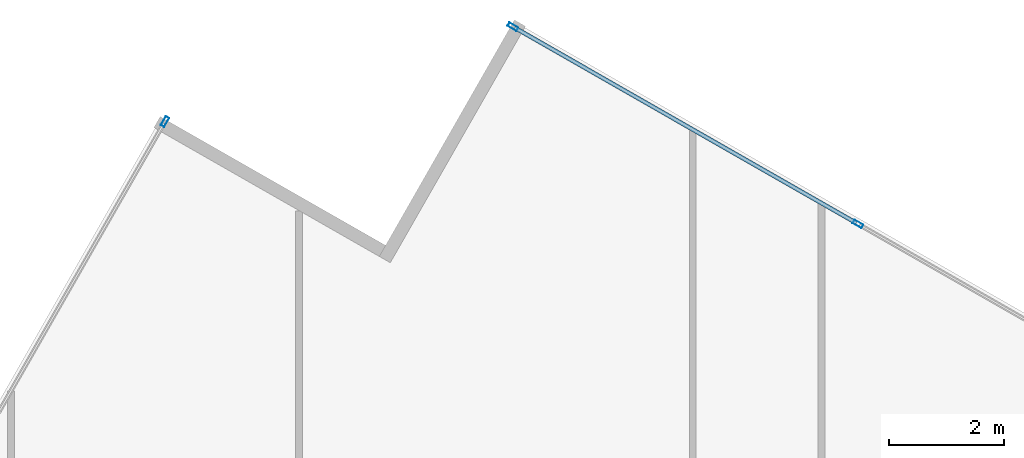
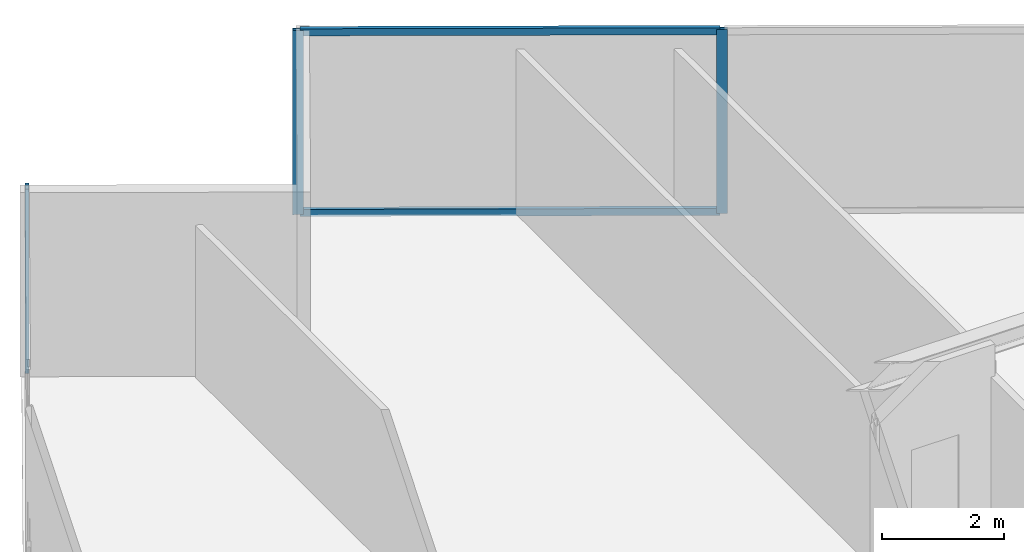
# One storey, part 15 of 24: 5 members, 2 elements without a shape of their own.
"""IFC4 building model written with IfcOpenShell, lengths in metres."""

import ifcopenshell
import ifcopenshell.guid

model = None  # the IFC model being written
_history = None  # IfcOwnerHistory: only IFC2X3 demands one
_inside = {}  # id of a spatial element -> (the spatial element, [elements in it])
_under = {}  # id of a project, library or spatial element -> (it, [spatial elements below it])
_declared = {}  # id of a project -> (the project, [libraries it declares])
_typed = {}  # id of a type object -> (the type object, [elements of that type])
_made_of = {}  # id of a material, layer set ... -> (it, [elements and type objects made of it])


def new_model(schema):
    """Start an empty IFC model of exactly this schema.

    Asked for "IFC4X3", IfcOpenShell would pick the latest addendum, in which some entities
    have other attributes; the version numbers below select the first issue.
    IFC2X3 requires an IfcOwnerHistory on every rooted entity: one is made here for all.
    """
    global model, _history
    if schema == "IFC4X3":
        model = ifcopenshell.file(schema_version=(4, 3, 0, 0))
    else:
        model = ifcopenshell.file(schema=schema)
    _inside.clear()
    _under.clear()
    _declared.clear()
    _typed.clear()
    _made_of.clear()
    _history = None
    if model.schema == "IFC2X3":
        org = make("IfcOrganization", Name="unknown")
        user = make(
            "IfcPersonAndOrganization",
            ThePerson=make("IfcPerson", FamilyName="unknown"),
            TheOrganization=org,
        )
        app = make(
            "IfcApplication",
            ApplicationDeveloper=org,
            Version="unknown",
            ApplicationFullName="unknown",
            ApplicationIdentifier="unknown",
        )
        _history = make(
            "IfcOwnerHistory",
            OwningUser=user,
            OwningApplication=app,
            ChangeAction="ADDED",
            CreationDate=0,
        )
    return model


def make(cls, **values):
    """One entity of the class cls with the attributes given. An attribute that is None is left unset."""
    return model.create_entity(
        cls, **{name: value for name, value in values.items() if value is not None}
    )


def rooted(cls, **values):
    """An entity with a GlobalId (a new one), such as an element, a storey or a relation."""
    return make(cls, GlobalId=ifcopenshell.guid.new(), OwnerHistory=_history, **values)


def si_unit(unit_type, name, prefix=None):
    """IfcSIUnit, for example si_unit("LENGTHUNIT", "METRE", prefix="MILLI")."""
    return make("IfcSIUnit", UnitType=unit_type, Prefix=prefix, Name=name)


def assignment(units):
    """IfcUnitAssignment: the units of a project."""
    return None if units is None else make("IfcUnitAssignment", Units=units)


def point(xyz):
    """IfcCartesianPoint."""
    return None if xyz is None else make("IfcCartesianPoint", Coordinates=xyz)


def direction(xyz):
    """IfcDirection."""
    return None if xyz is None else make("IfcDirection", DirectionRatios=xyz)


def frame(location, z_axis=None, x_axis=None):
    """IfcAxis2Placement3D, a coordinate frame: its origin and axes. An axis left out is left unset."""
    return make(
        "IfcAxis2Placement3D",
        Location=point(location),
        Axis=direction(z_axis),
        RefDirection=direction(x_axis),
    )


def frame_2d(location, x_axis=None):
    """IfcAxis2Placement2D, a coordinate frame in the plane: its origin and x axis."""
    return make(
        "IfcAxis2Placement2D", Location=point(location), RefDirection=direction(x_axis)
    )


def origin():
    """The frame at (0, 0, 0) with its axes left unset."""
    return frame((0.0, 0.0, 0.0))


def origin_2d():
    """The frame at (0, 0) in the plane with its x axis left unset."""
    return frame_2d((0.0, 0.0))


def place(relative_to, where):
    """IfcLocalPlacement: puts the frame where relative to a parent placement (None: the world)."""
    return make(
        "IfcLocalPlacement", PlacementRelTo=relative_to, RelativePlacement=where
    )


def context(
    kind, dimensions, precision=None, world=None, true_north=None, identifier=None
):
    """IfcGeometricRepresentationContext, for example the 3D "Model" context."""
    return make(
        "IfcGeometricRepresentationContext",
        ContextIdentifier=identifier,
        ContextType=kind,
        CoordinateSpaceDimension=dimensions,
        Precision=precision,
        WorldCoordinateSystem=world,
        TrueNorth=true_north,
    )


def subcontext(parent, identifier, kind, view, scale=None):
    """IfcGeometricRepresentationSubContext, for example "Body" below "Model"."""
    return make(
        "IfcGeometricRepresentationSubContext",
        ContextIdentifier=identifier,
        ContextType=kind,
        ParentContext=parent,
        TargetScale=scale,
        TargetView=view,
    )


def project(units=None, contexts=None):
    """IfcProject with its units and contexts."""
    return rooted(
        "IfcProject",
        Name="project",
        RepresentationContexts=contexts,
        UnitsInContext=assignment(units),
    )


def spatial(cls, under=None, at=None, **own):
    """A site, building, storey or space (cls), placed at a placement, below another one or the project."""
    s = rooted(cls, ObjectPlacement=at, **own)
    if under is not None:
        _under.setdefault(under.id(), (under, []))[1].append(s)
    return s


def profile(cls, at=None, kind="AREA", **sizes):
    """A parametric profile (cls). Its sizes go by their IFC names, for example OverallWidth=200.0."""
    return make(cls, ProfileType=kind, Position=at, **sizes)


def hollow_rectangle(**sizes):
    """IfcRectangleHollowProfileDef."""
    return profile("IfcRectangleHollowProfileDef", **sizes)


def extrude(swept, where, along, depth):
    """IfcExtrudedAreaSolid: the profile swept, set in the frame where, extruded along a direction by depth."""
    return make(
        "IfcExtrudedAreaSolid",
        SweptArea=swept,
        Position=where,
        ExtrudedDirection=direction(along),
        Depth=depth,
    )


def shape(context_of_items, identifier, shape_type, items):
    """IfcShapeRepresentation: the items that make up one representation, for example the "Body"."""
    return make(
        "IfcShapeRepresentation",
        ContextOfItems=context_of_items,
        RepresentationIdentifier=identifier,
        RepresentationType=shape_type,
        Items=items,
    )


def source(mapping_origin, context_of_items, identifier, shape_type, items):
    """IfcRepresentationMap: a shape defined once, which mapped items show again and again."""
    return make(
        "IfcRepresentationMap",
        MappingOrigin=mapping_origin,
        MappedRepresentation=shape(context_of_items, identifier, shape_type, items),
    )


def transform(
    local_origin,
    x_axis=None,
    y_axis=None,
    z_axis=None,
    scale=None,
    scale2=None,
    scale3=None,
    uniform=True,
):
    """IfcCartesianTransformationOperator3D, or its non-uniform kind. x_axis, y_axis, z_axis: its Axis1, 2, 3."""
    if uniform:
        return make(
            "IfcCartesianTransformationOperator3D",
            Axis1=direction(x_axis),
            Axis2=direction(y_axis),
            LocalOrigin=point(local_origin),
            Scale=scale,
            Axis3=direction(z_axis),
        )
    return make(
        "IfcCartesianTransformationOperator3DnonUniform",
        Axis1=direction(x_axis),
        Axis2=direction(y_axis),
        LocalOrigin=point(local_origin),
        Scale=scale,
        Axis3=direction(z_axis),
        Scale2=scale2,
        Scale3=scale3,
    )


def mapped(mapping_source, mapping_target):
    """IfcMappedItem: shows the shape of a source again, moved by a transform."""
    return make(
        "IfcMappedItem", MappingSource=mapping_source, MappingTarget=mapping_target
    )


def material(Name=None, Category=None):
    """IfcMaterial."""
    return make("IfcMaterial", Name=Name, Category=Category)


def material_profile(
    of_material, cross_section, Name=None, Category=None, Priority=None
):
    """IfcMaterialProfile: a cross section and its material."""
    return make(
        "IfcMaterialProfile",
        Name=Name,
        Material=of_material,
        Profile=cross_section,
        Priority=Priority,
        Category=Category,
    )


def profile_set(profiles, Name=None, composite=None):
    """IfcMaterialProfileSet."""
    return make(
        "IfcMaterialProfileSet",
        Name=Name,
        MaterialProfiles=profiles,
        CompositeProfile=composite,
    )


def made_of(thing, what):
    """Note that an element or type object is made of a material, layer set ...; save() writes the relation."""
    if what is not None:
        _made_of.setdefault(what.id(), (what, []))[1].append(thing)
    return thing


def type_object(cls, material=None, **own):
    """A type object (cls), such as IfcWallType, which elements share."""
    return made_of(rooted(cls, **own), material)


def type_shapes(of_type, sources):
    """Give a type object the sources (RepresentationMaps) that its elements show as mapped items."""
    of_type.RepresentationMaps = sources


def element(
    cls,
    number,
    at=None,
    inside=None,
    cuts=None,
    type_object=None,
    material=None,
    context=None,
    identifier="Body",
    shape_type=None,
    held_by="IfcProductDefinitionShape",
    body=None,
    shapes=None,
    **own,
):
    """One element of the class cls, such as IfcWall. Its Tag is "e" and its number.

    at: its placement. inside: the storey or other place that contains it. cuts: it is an
    opening in that element (IfcRelVoidsElement). A single representation is given by context,
    identifier, shape_type and body (its items); several are given by shapes. held_by: the class
    of the entity that holds the representations. save() writes the other relations.
    """
    e = rooted(cls, Tag="e%d" % number, ObjectPlacement=at, **own)
    if body is not None:
        shapes = [shape(context, identifier, shape_type, body)]
    if shapes is not None:
        e.Representation = make(held_by, Representations=shapes)
    if inside is not None:
        _inside.setdefault(inside.id(), (inside, []))[1].append(e)
    if cuts is not None:
        rooted(
            "IfcRelVoidsElement", RelatingBuildingElement=cuts, RelatedOpeningElement=e
        )
    if type_object is not None:
        _typed.setdefault(type_object.id(), (type_object, []))[1].append(e)
    return made_of(e, material)


def aggregate(whole, parts):
    """IfcRelAggregates: a whole, such as a stair, and the parts it consists of."""
    return rooted("IfcRelAggregates", RelatingObject=whole, RelatedObjects=parts)


def save(model, path):
    """Write the relations noted so far, then the file.

    IfcRelAggregates (storeys below a building ...), IfcRelContainedInSpatialStructure (elements
    in a storey), IfcRelDefinesByType, IfcRelAssociatesMaterial and IfcRelDeclares: one each for
    every whole, place, type object, material and project.
    """
    for whole, parts in _under.values():
        aggregate(whole, parts)
    for where, things in _inside.values():
        rooted(
            "IfcRelContainedInSpatialStructure",
            RelatedElements=things,
            RelatingStructure=where,
        )
    for kind, things in _typed.values():
        rooted("IfcRelDefinesByType", RelatedObjects=things, RelatingType=kind)
    for what, things in _made_of.values():
        rooted("IfcRelAssociatesMaterial", RelatedObjects=things, RelatingMaterial=what)
    for by, libraries in _declared.values():
        rooted("IfcRelDeclares", RelatingContext=by, RelatedDefinitions=libraries)
    model.write(path)


model = new_model("IFC4")

# Units and contexts
model_context = context("Model", 3, precision=1e-05, world=origin(), true_north=direction((0.0, 1.0)))
body_context = subcontext(model_context, "Body", "Model", "MODEL_VIEW")
ifc_project = project(units=[si_unit("LENGTHUNIT", "METRE"), si_unit("AREAUNIT", "SQUARE_METRE"), si_unit("VOLUMEUNIT", "CUBIC_METRE"), si_unit("PLANEANGLEUNIT", "RADIAN"), si_unit("MASSUNIT", "GRAM", prefix="KILO")], contexts=[model_context])

# Site, building, storey
site_placement = place(None, origin())
site = spatial("IfcSite", under=ifc_project, at=site_placement, CompositionType="ELEMENT")
building_placement = place(site_placement, origin())
building = spatial("IfcBuilding", under=site, at=building_placement, Name="Krantzveldt Concourse Tower", CompositionType="ELEMENT")
storey_placement = place(building_placement, frame((0.0, 0.0, 165.949951171875)))
storey = spatial("IfcBuildingStorey", under=building, at=storey_placement, Name="L40", CompositionType="ELEMENT", Elevation=165.949951171875)

# Curtain wall, member
ifc_material = material(Name="Anodised aluminium 6063-T6", Category="aluminium")
curtain_wall_type = type_object("IfcCurtainWallType", Name="CW3", PredefinedType="USERDEFINED", material=ifc_material)
curtain_wall_1_placement = place(storey_placement, origin())
curtain_wall_1 = element("IfcCurtainWall", 1, at=curtain_wall_1_placement, inside=storey, type_object=curtain_wall_type, Name="CW-L40-F01", ObjectType="UNITISED CURTAIN WALL", PredefinedType="USERDEFINED")
ifc_material_profile_1 = material_profile(ifc_material, hollow_rectangle(XDim=0.070068359375, YDim=0.179931640625, WallThickness=0.0048828125, at=origin_2d()), Name="Anodised aluminium 6063-T6", Category="aluminium")
ifc_profile_set_1 = profile_set([ifc_material_profile_1], Name="Anodised aluminium 6063-T6 - ALU-MULL 180x70x5")
member_type_1 = type_object("IfcMemberType", Name="CW-MUL-180", PredefinedType="MULLION", material=ifc_profile_set_1)
shared_shape_1 = source(origin(), body_context, "Body", "SweptSolid", [
    extrude(hollow_rectangle(XDim=0.070068359375, YDim=0.179931640625, WallThickness=0.0048828125, at=origin_2d()), origin(), (0.0, 0.0, 1.0), 3.670166015625),
])
type_shapes(member_type_1, [shared_shape_1])
member_1_placement = place(storey_placement, frame((25.681396484375, 52.5986328125, 0.0), z_axis=(0.0, 0.0, 1.0), x_axis=(0.868198885255, -0.496216379861, 0.0)))
member_1 = element("IfcMember", 2, at=member_1_placement, type_object=member_type_1, Name="CW-Z34 mullion 1", PredefinedType="MULLION", context=body_context, shape_type="MappedRepresentation", body=[
    mapped(shared_shape_1, transform((0.0, 0.0, 0.0), x_axis=(1.0, 0.0, 0.0), y_axis=(0.0, 1.0, 0.0), z_axis=(0.0, 0.0, 1.0), scale=1.0)),
])
aggregate(curtain_wall_1, [member_1])

# Curtain wall, members
curtain_wall_2_placement = place(storey_placement, origin())
curtain_wall_2 = element("IfcCurtainWall", 3, at=curtain_wall_2_placement, inside=storey, type_object=curtain_wall_type, Name="CW-L40-F14", ObjectType="UNITISED CURTAIN WALL", PredefinedType="USERDEFINED")
member_2_placement = place(storey_placement, frame((37.758544921875, 50.81591796875, 0.0), z_axis=(0.0, 0.0, 1.0), x_axis=(-0.496216394392, -0.868198876949, 0.0)))
member_2 = element("IfcMember", 4, at=member_2_placement, type_object=member_type_1, Name="CW-Z34 mullion 5", PredefinedType="MULLION", context=body_context, shape_type="MappedRepresentation", body=[
    mapped(shared_shape_1, transform((0.0, 0.0, 0.0), x_axis=(1.0, 0.0, 0.0), y_axis=(0.0, 1.0, 0.0), z_axis=(0.0, 0.0, 1.0), scale=1.0)),
])
member_3_placement = place(storey_placement, frame((31.74609375, 54.252197265625, 0.0), z_axis=(0.0, 0.0, 1.0), x_axis=(-0.496216394392, -0.868198876949, 0.0)))
member_3 = element("IfcMember", 5, at=member_3_placement, type_object=member_type_1, Name="CW-Z34 mullion 6", PredefinedType="MULLION", context=body_context, shape_type="MappedRepresentation", body=[
    mapped(shared_shape_1, transform((0.0, 0.0, 0.0), x_axis=(1.0, 0.0, 0.0), y_axis=(0.0, 1.0, 0.0), z_axis=(0.0, 0.0, 1.0), scale=1.0)),
])
ifc_material_profile_2 = material_profile(ifc_material, hollow_rectangle(XDim=0.070068359375, YDim=0.139892578125, WallThickness=0.0048828125, at=origin_2d()), Name="Anodised aluminium 6063-T6", Category="aluminium")
ifc_profile_set_2 = profile_set([ifc_material_profile_2], Name="Anodised aluminium 6063-T6 - ALU-TRAN 140x70x5")
member_type_2 = type_object("IfcMemberType", Name="CW-TRN-150", PredefinedType="USERDEFINED", material=ifc_profile_set_2)
shared_shape_2 = source(origin(), body_context, "Body", "SweptSolid", [
    extrude(hollow_rectangle(XDim=0.070068359375, YDim=0.139892578125, WallThickness=0.0048828125, at=origin_2d()), origin(), (0.0, 0.0, 1.0), 6.85498046875),
])
type_shapes(member_type_2, [shared_shape_2])
member_4_placement = place(storey_placement, frame((37.72802734375, 50.833251953125, 0.03515625), z_axis=(-0.868192728379, 0.496227152008, 0.0), x_axis=(-0.496227152008, -0.868192728379, 0.0)))
member_4 = element("IfcMember", 6, at=member_4_placement, type_object=member_type_2, Name="CW-Z34 transom 5.1", ObjectType="TRANSOM", PredefinedType="USERDEFINED", context=body_context, shape_type="MappedRepresentation", body=[
    mapped(shared_shape_2, transform((0.0, 0.0, 0.0), x_axis=(1.0, 0.0, 0.0), y_axis=(0.0, 1.0, 0.0), z_axis=(0.0, 0.0, 1.0), scale=1.0)),
])
member_5_placement = place(storey_placement, frame((37.72802734375, 50.833251953125, 3.635009765625), z_axis=(-0.868192728379, 0.496227152008, 0.0), x_axis=(-0.496227152008, -0.868192728379, 0.0)))
member_5 = element("IfcMember", 7, at=member_5_placement, type_object=member_type_2, Name="CW-Z34 transom 5.2", ObjectType="TRANSOM", PredefinedType="USERDEFINED", context=body_context, shape_type="MappedRepresentation", body=[
    mapped(shared_shape_2, transform((0.0, 0.0, 0.0), x_axis=(1.0, 0.0, 0.0), y_axis=(0.0, 1.0, 0.0), z_axis=(0.0, 0.0, 1.0), scale=1.0)),
])
aggregate(curtain_wall_2, [member_2, member_3, member_4, member_5])

save(model, "model.ifc")
